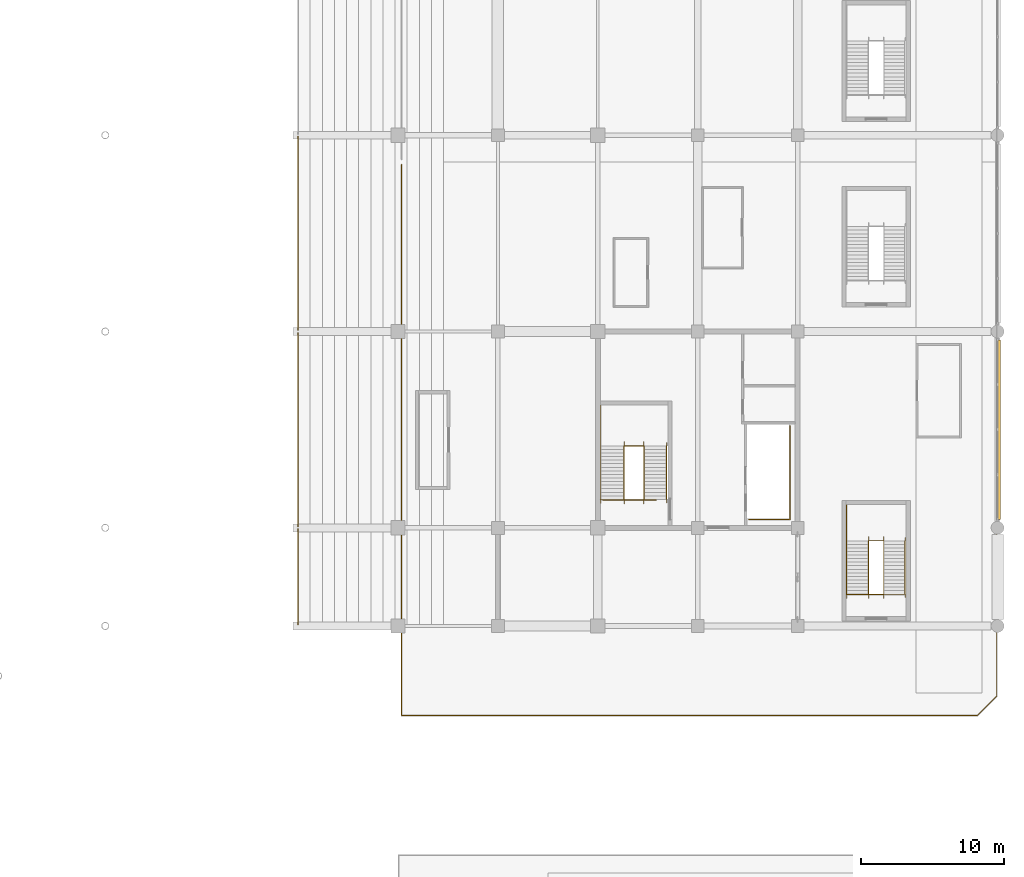
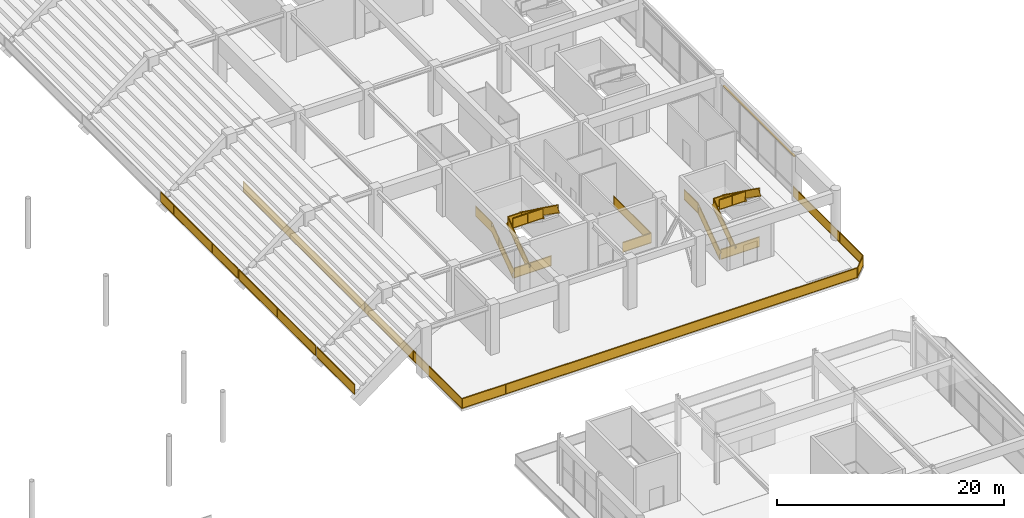
# One storey, part 110 of 117: 14 railings, 1 shading device.
"""IFC4 building model written with IfcOpenShell, lengths in metres."""

import ifcopenshell
import ifcopenshell.guid

model = None  # the IFC model being written
_history = None  # IfcOwnerHistory: only IFC2X3 demands one
_inside = {}  # id of a spatial element -> (the spatial element, [elements in it])
_under = {}  # id of a project, library or spatial element -> (it, [spatial elements below it])
_declared = {}  # id of a project -> (the project, [libraries it declares])
_typed = {}  # id of a type object -> (the type object, [elements of that type])
_made_of = {}  # id of a material, layer set ... -> (it, [elements and type objects made of it])


def new_model(schema):
    """Start an empty IFC model of exactly this schema.

    Asked for "IFC4X3", IfcOpenShell would pick the latest addendum, in which some entities
    have other attributes; the version numbers below select the first issue.
    IFC2X3 requires an IfcOwnerHistory on every rooted entity: one is made here for all.
    """
    global model, _history
    if schema == "IFC4X3":
        model = ifcopenshell.file(schema_version=(4, 3, 0, 0))
    else:
        model = ifcopenshell.file(schema=schema)
    _inside.clear()
    _under.clear()
    _declared.clear()
    _typed.clear()
    _made_of.clear()
    _history = None
    if model.schema == "IFC2X3":
        org = make("IfcOrganization", Name="unknown")
        user = make(
            "IfcPersonAndOrganization",
            ThePerson=make("IfcPerson", FamilyName="unknown"),
            TheOrganization=org,
        )
        app = make(
            "IfcApplication",
            ApplicationDeveloper=org,
            Version="unknown",
            ApplicationFullName="unknown",
            ApplicationIdentifier="unknown",
        )
        _history = make(
            "IfcOwnerHistory",
            OwningUser=user,
            OwningApplication=app,
            ChangeAction="ADDED",
            CreationDate=0,
        )
    return model


def make(cls, **values):
    """One entity of the class cls with the attributes given. An attribute that is None is left unset."""
    return model.create_entity(
        cls, **{name: value for name, value in values.items() if value is not None}
    )


def rooted(cls, **values):
    """An entity with a GlobalId (a new one), such as an element, a storey or a relation."""
    return make(cls, GlobalId=ifcopenshell.guid.new(), OwnerHistory=_history, **values)


def si_unit(unit_type, name, prefix=None):
    """IfcSIUnit, for example si_unit("LENGTHUNIT", "METRE", prefix="MILLI")."""
    return make("IfcSIUnit", UnitType=unit_type, Prefix=prefix, Name=name)


def assignment(units):
    """IfcUnitAssignment: the units of a project."""
    return None if units is None else make("IfcUnitAssignment", Units=units)


def point(xyz):
    """IfcCartesianPoint."""
    return None if xyz is None else make("IfcCartesianPoint", Coordinates=xyz)


def direction(xyz):
    """IfcDirection."""
    return None if xyz is None else make("IfcDirection", DirectionRatios=xyz)


def frame(location, z_axis=None, x_axis=None):
    """IfcAxis2Placement3D, a coordinate frame: its origin and axes. An axis left out is left unset."""
    return make(
        "IfcAxis2Placement3D",
        Location=point(location),
        Axis=direction(z_axis),
        RefDirection=direction(x_axis),
    )


def frame_2d(location, x_axis=None):
    """IfcAxis2Placement2D, a coordinate frame in the plane: its origin and x axis."""
    return make(
        "IfcAxis2Placement2D", Location=point(location), RefDirection=direction(x_axis)
    )


def origin():
    """The frame at (0, 0, 0) with its axes left unset."""
    return frame((0.0, 0.0, 0.0))


def origin_2d():
    """The frame at (0, 0) in the plane with its x axis left unset."""
    return frame_2d((0.0, 0.0))


def place(relative_to, where):
    """IfcLocalPlacement: puts the frame where relative to a parent placement (None: the world)."""
    return make(
        "IfcLocalPlacement", PlacementRelTo=relative_to, RelativePlacement=where
    )


def context(
    kind, dimensions, precision=None, world=None, true_north=None, identifier=None
):
    """IfcGeometricRepresentationContext, for example the 3D "Model" context."""
    return make(
        "IfcGeometricRepresentationContext",
        ContextIdentifier=identifier,
        ContextType=kind,
        CoordinateSpaceDimension=dimensions,
        Precision=precision,
        WorldCoordinateSystem=world,
        TrueNorth=true_north,
    )


def subcontext(parent, identifier, kind, view, scale=None):
    """IfcGeometricRepresentationSubContext, for example "Body" below "Model"."""
    return make(
        "IfcGeometricRepresentationSubContext",
        ContextIdentifier=identifier,
        ContextType=kind,
        ParentContext=parent,
        TargetScale=scale,
        TargetView=view,
    )


def project(units=None, contexts=None):
    """IfcProject with its units and contexts."""
    return rooted(
        "IfcProject",
        Name="project",
        RepresentationContexts=contexts,
        UnitsInContext=assignment(units),
    )


def spatial(cls, under=None, at=None, **own):
    """A site, building, storey or space (cls), placed at a placement, below another one or the project."""
    s = rooted(cls, ObjectPlacement=at, **own)
    if under is not None:
        _under.setdefault(under.id(), (under, []))[1].append(s)
    return s


def profile(cls, at=None, kind="AREA", **sizes):
    """A parametric profile (cls). Its sizes go by their IFC names, for example OverallWidth=200.0."""
    return make(cls, ProfileType=kind, Position=at, **sizes)


def rectangle(**sizes):
    """IfcRectangleProfileDef."""
    return profile("IfcRectangleProfileDef", **sizes)


def extrude(swept, where, along, depth):
    """IfcExtrudedAreaSolid: the profile swept, set in the frame where, extruded along a direction by depth."""
    return make(
        "IfcExtrudedAreaSolid",
        SweptArea=swept,
        Position=where,
        ExtrudedDirection=direction(along),
        Depth=depth,
    )


def shape(context_of_items, identifier, shape_type, items):
    """IfcShapeRepresentation: the items that make up one representation, for example the "Body"."""
    return make(
        "IfcShapeRepresentation",
        ContextOfItems=context_of_items,
        RepresentationIdentifier=identifier,
        RepresentationType=shape_type,
        Items=items,
    )


def material(Name=None, Category=None):
    """IfcMaterial."""
    return make("IfcMaterial", Name=Name, Category=Category)


def layer(
    of_material, thickness, ventilated=None, Name=None, Category=None, Priority=None
):
    """IfcMaterialLayer: one layer of a wall or slab, of a material (None: an air gap)."""
    return make(
        "IfcMaterialLayer",
        Material=of_material,
        LayerThickness=thickness,
        IsVentilated=ventilated,
        Name=Name,
        Category=Category,
        Priority=Priority,
    )


def layer_set(layers, Name=None):
    """IfcMaterialLayerSet."""
    return make("IfcMaterialLayerSet", MaterialLayers=layers, LayerSetName=Name)


def made_of(thing, what):
    """Note that an element or type object is made of a material, layer set ...; save() writes the relation."""
    if what is not None:
        _made_of.setdefault(what.id(), (what, []))[1].append(thing)
    return thing


def type_object(cls, material=None, **own):
    """A type object (cls), such as IfcWallType, which elements share."""
    return made_of(rooted(cls, **own), material)


def element(
    cls,
    number,
    at=None,
    inside=None,
    cuts=None,
    type_object=None,
    material=None,
    context=None,
    identifier="Body",
    shape_type=None,
    held_by="IfcProductDefinitionShape",
    body=None,
    shapes=None,
    **own,
):
    """One element of the class cls, such as IfcWall. Its Tag is "e" and its number.

    at: its placement. inside: the storey or other place that contains it. cuts: it is an
    opening in that element (IfcRelVoidsElement). A single representation is given by context,
    identifier, shape_type and body (its items); several are given by shapes. held_by: the class
    of the entity that holds the representations. save() writes the other relations.
    """
    e = rooted(cls, Tag="e%d" % number, ObjectPlacement=at, **own)
    if body is not None:
        shapes = [shape(context, identifier, shape_type, body)]
    if shapes is not None:
        e.Representation = make(held_by, Representations=shapes)
    if inside is not None:
        _inside.setdefault(inside.id(), (inside, []))[1].append(e)
    if cuts is not None:
        rooted(
            "IfcRelVoidsElement", RelatingBuildingElement=cuts, RelatedOpeningElement=e
        )
    if type_object is not None:
        _typed.setdefault(type_object.id(), (type_object, []))[1].append(e)
    return made_of(e, material)


def aggregate(whole, parts):
    """IfcRelAggregates: a whole, such as a stair, and the parts it consists of."""
    return rooted("IfcRelAggregates", RelatingObject=whole, RelatedObjects=parts)


def save(model, path):
    """Write the relations noted so far, then the file.

    IfcRelAggregates (storeys below a building ...), IfcRelContainedInSpatialStructure (elements
    in a storey), IfcRelDefinesByType, IfcRelAssociatesMaterial and IfcRelDeclares: one each for
    every whole, place, type object, material and project.
    """
    for whole, parts in _under.values():
        aggregate(whole, parts)
    for where, things in _inside.values():
        rooted(
            "IfcRelContainedInSpatialStructure",
            RelatedElements=things,
            RelatingStructure=where,
        )
    for kind, things in _typed.values():
        rooted("IfcRelDefinesByType", RelatedObjects=things, RelatingType=kind)
    for what, things in _made_of.values():
        rooted("IfcRelAssociatesMaterial", RelatedObjects=things, RelatingMaterial=what)
    for by, libraries in _declared.values():
        rooted("IfcRelDeclares", RelatingContext=by, RelatedDefinitions=libraries)
    model.write(path)


model = new_model("IFC4")

# Units and contexts
model_context = context("Model", 3, precision=1e-05, world=origin(), true_north=direction((0.0, 1.0)))
body_context = subcontext(model_context, "Body", "Model", "MODEL_VIEW")
ifc_project = project(units=[si_unit("LENGTHUNIT", "METRE"), si_unit("AREAUNIT", "SQUARE_METRE"), si_unit("VOLUMEUNIT", "CUBIC_METRE"), si_unit("PLANEANGLEUNIT", "RADIAN"), si_unit("MASSUNIT", "GRAM", prefix="KILO")], contexts=[model_context])

# Site, building, storey
site_placement = place(None, origin())
site = spatial("IfcSite", under=ifc_project, at=site_placement, CompositionType="ELEMENT")
building_placement = place(site_placement, origin())
building = spatial("IfcBuilding", under=site, at=building_placement, Name="Linyun Crest Stadium", CompositionType="ELEMENT")
storey_placement = place(building_placement, frame((0.0, 0.0, 6.0)))
storey = spatial("IfcBuildingStorey", under=building, at=storey_placement, Name="L02", CompositionType="ELEMENT", Elevation=6.0)

# Railings
ifc_material_1 = material(Name="Galvanized and powder-coated steel bowl safety barrier", Category="steel")
railing_type_1 = type_object("IfcRailingType", Name="GR02", PredefinedType="GUARDRAIL", material=ifc_material_1)
railing_1_placement = place(storey_placement, frame((49.0, -45.919921875, 0.199951171875)))
element("IfcRailing", 1, at=railing_1_placement, inside=storey, type_object=railing_type_1, Name="Bowl front safety guard GR02 6", PredefinedType="GUARDRAIL", context=body_context, shape_type="SweptSolid", body=[
    extrude(rectangle(XDim=0.06005859375, YDim=0.06005859375, at=origin_2d()), frame((0.0, 0.0, 1.090087890625), z_axis=(0.0, 1.0, 0.0), x_axis=(-1.0, 0.0, 0.0)), (0.0, 0.0, 1.0), 6.71484375),
    extrude(rectangle(XDim=0.030029296875, YDim=1.0, at=origin_2d()), frame((0.0, 0.0, 0.56005859375), z_axis=(0.0, 1.0, 0.0), x_axis=(-1.0, 0.0, 0.0)), (0.0, 0.0, 1.0), 6.71484375),
    extrude(rectangle(XDim=0.06005859375, YDim=0.06005859375, at=origin_2d()), frame((0.0, 0.0, 0.030029296875), z_axis=(0.0, 1.0, 0.0), x_axis=(-1.0, 0.0, 0.0)), (0.0, 0.0, 1.0), 6.71484375),
    extrude(rectangle(XDim=0.050048828125, YDim=0.050048828125, at=origin_2d()), origin(), (0.0, 0.0, 1.0), 1.1201171875),
    extrude(rectangle(XDim=0.050048828125, YDim=0.050048828125, at=origin_2d()), frame((0.0, 2.23828125, 0.0)), (0.0, 0.0, 1.0), 1.1201171875),
    extrude(rectangle(XDim=0.050048828125, YDim=0.050048828125, at=origin_2d()), frame((0.0, 4.4765625, 0.0)), (0.0, 0.0, 1.0), 1.1201171875),
    extrude(rectangle(XDim=0.050048828125, YDim=0.050048828125, at=origin_2d()), frame((0.0, 6.71484375, 0.0)), (0.0, 0.0, 1.0), 1.1201171875),
])
for number, where, name in (
    (2, (49.0, -39.044921875, 0.199951171875), "Bowl front safety guard GR02 14"),
    (3, (49.0, -25.294921875, 0.199951171875), "Bowl front safety guard GR02 22"),
):
    element("IfcRailing", number, at=place(storey_placement, frame(where)), inside=storey, type_object=railing_type_1, Name=name, PredefinedType="GUARDRAIL", context=body_context, shape_type="SweptSolid", body=[
        extrude(rectangle(XDim=0.06005859375, YDim=0.06005859375, at=origin_2d()), frame((0.0, 0.0, 1.090087890625), z_axis=(0.0, 1.0, 0.0), x_axis=(-1.0, 0.0, 0.0)), (0.0, 0.0, 1.0), 13.58984375),
        extrude(rectangle(XDim=0.030029296875, YDim=1.0, at=origin_2d()), frame((0.0, 0.0, 0.56005859375), z_axis=(0.0, 1.0, 0.0), x_axis=(-1.0, 0.0, 0.0)), (0.0, 0.0, 1.0), 13.58984375),
        extrude(rectangle(XDim=0.06005859375, YDim=0.06005859375, at=origin_2d()), frame((0.0, 0.0, 0.030029296875), z_axis=(0.0, 1.0, 0.0), x_axis=(-1.0, 0.0, 0.0)), (0.0, 0.0, 1.0), 13.58984375),
        extrude(rectangle(XDim=0.050048828125, YDim=0.050048828125, at=origin_2d()), origin(), (0.0, 0.0, 1.0), 1.1201171875),
        extrude(rectangle(XDim=0.050048828125, YDim=0.050048828125, at=origin_2d()), frame((0.0, 2.264892578125, 0.0)), (0.0, 0.0, 1.0), 1.1201171875),
        extrude(rectangle(XDim=0.050048828125, YDim=0.050048828125, at=origin_2d()), frame((0.0, 4.530029296875, 0.0)), (0.0, 0.0, 1.0), 1.1201171875),
        extrude(rectangle(XDim=0.050048828125, YDim=0.050048828125, at=origin_2d()), frame((0.0, 6.794921875, 0.0)), (0.0, 0.0, 1.0), 1.1201171875),
        extrude(rectangle(XDim=0.050048828125, YDim=0.050048828125, at=origin_2d()), frame((0.0, 9.059814453125, 0.0)), (0.0, 0.0, 1.0), 1.1201171875),
        extrude(rectangle(XDim=0.050048828125, YDim=0.050048828125, at=origin_2d()), frame((0.0, 11.324951171875, 0.0)), (0.0, 0.0, 1.0), 1.1201171875),
        extrude(rectangle(XDim=0.050048828125, YDim=0.050048828125, at=origin_2d()), frame((0.0, 13.58984375, 0.0)), (0.0, 0.0, 1.0), 1.1201171875),
    ])
railing_2_placement = place(storey_placement, frame((56.260009765625, -52.27490234375, 0.0)))
element("IfcRailing", 4, at=railing_2_placement, inside=storey, type_object=railing_type_1, Name="Slab edge balustrade GR02 117", PredefinedType="GUARDRAIL", context=body_context, shape_type="SweptSolid", body=[
    extrude(rectangle(XDim=0.06005859375, YDim=0.06005859375, at=origin_2d()), frame((0.0, 0.0, 1.090087890625), z_axis=(0.0, 1.0, 0.0), x_axis=(-1.0, 0.0, 0.0)), (0.0, 0.0, 1.0), 38.60498046875),
    extrude(rectangle(XDim=0.030029296875, YDim=1.0, at=origin_2d()), frame((0.0, 0.0, 0.56005859375), z_axis=(0.0, 1.0, 0.0), x_axis=(-1.0, 0.0, 0.0)), (0.0, 0.0, 1.0), 38.60498046875),
    extrude(rectangle(XDim=0.06005859375, YDim=0.06005859375, at=origin_2d()), frame((0.0, 0.0, 0.030029296875), z_axis=(0.0, 1.0, 0.0), x_axis=(-1.0, 0.0, 0.0)), (0.0, 0.0, 1.0), 38.60498046875),
    extrude(rectangle(XDim=0.050048828125, YDim=0.050048828125, at=origin_2d()), origin(), (0.0, 0.0, 1.0), 1.1201171875),
    extrude(rectangle(XDim=0.050048828125, YDim=0.050048828125, at=origin_2d()), frame((0.0, 4.28955078125, 0.0)), (0.0, 0.0, 1.0), 1.1201171875),
    extrude(rectangle(XDim=0.050048828125, YDim=0.050048828125, at=origin_2d()), frame((0.0, 8.578857421875, 0.0)), (0.0, 0.0, 1.0), 1.1201171875),
    extrude(rectangle(XDim=0.050048828125, YDim=0.050048828125, at=origin_2d()), frame((0.0, 12.868408203125, 0.0)), (0.0, 0.0, 1.0), 1.1201171875),
    extrude(rectangle(XDim=0.050048828125, YDim=0.050048828125, at=origin_2d()), frame((0.0, 17.15771484375, 0.0)), (0.0, 0.0, 1.0), 1.1201171875),
    extrude(rectangle(XDim=0.050048828125, YDim=0.050048828125, at=origin_2d()), frame((0.0, 21.447265625, 0.0)), (0.0, 0.0, 1.0), 1.1201171875),
    extrude(rectangle(XDim=0.050048828125, YDim=0.050048828125, at=origin_2d()), frame((0.0, 25.736572265625, 0.0)), (0.0, 0.0, 1.0), 1.1201171875),
    extrude(rectangle(XDim=0.050048828125, YDim=0.050048828125, at=origin_2d()), frame((0.0, 30.026123046875, 0.0)), (0.0, 0.0, 1.0), 1.1201171875),
    extrude(rectangle(XDim=0.050048828125, YDim=0.050048828125, at=origin_2d()), frame((0.0, 34.3154296875, 0.0)), (0.0, 0.0, 1.0), 1.1201171875),
    extrude(rectangle(XDim=0.050048828125, YDim=0.050048828125, at=origin_2d()), frame((0.0, 38.60498046875, 0.0)), (0.0, 0.0, 1.0), 1.1201171875),
])
railing_3_placement = place(storey_placement, frame((97.93994140625, -38.574951171875, 0.0)))
element("IfcRailing", 5, at=railing_3_placement, inside=storey, type_object=railing_type_1, Name="Slab edge balustrade GR02 119", PredefinedType="GUARDRAIL", context=body_context, shape_type="SweptSolid", body=[
    extrude(rectangle(XDim=0.06005859375, YDim=0.06005859375, at=origin_2d()), frame((0.0, 0.0, 1.090087890625), z_axis=(0.0, -1.0, 0.0), x_axis=(1.0, 0.0, 0.0)), (0.0, 0.0, 1.0), 12.3349609375),
    extrude(rectangle(XDim=0.030029296875, YDim=1.0, at=origin_2d()), frame((0.0, 0.0, 0.56005859375), z_axis=(0.0, -1.0, 0.0), x_axis=(1.0, 0.0, 0.0)), (0.0, 0.0, 1.0), 12.3349609375),
    extrude(rectangle(XDim=0.06005859375, YDim=0.06005859375, at=origin_2d()), frame((0.0, 0.0, 0.030029296875), z_axis=(0.0, -1.0, 0.0), x_axis=(1.0, 0.0, 0.0)), (0.0, 0.0, 1.0), 12.3349609375),
    extrude(rectangle(XDim=0.06005859375, YDim=0.06005859375, at=origin_2d()), frame((0.0, -12.3349609375, 1.090087890625), z_axis=(-0.707106781187, -0.707106781187, 0.0), x_axis=(0.707106781187, -0.707106781187, 0.0)), (0.0, 0.0, 1.0), 1.930419921875),
    extrude(rectangle(XDim=0.030029296875, YDim=1.0, at=origin_2d()), frame((0.0, -12.3349609375, 0.56005859375), z_axis=(-0.707106781187, -0.707106781187, 0.0), x_axis=(0.707106781187, -0.707106781187, 0.0)), (0.0, 0.0, 1.0), 1.930419921875),
    extrude(rectangle(XDim=0.06005859375, YDim=0.06005859375, at=origin_2d()), frame((0.0, -12.3349609375, 0.030029296875), z_axis=(-0.707106781187, -0.707106781187, 0.0), x_axis=(0.707106781187, -0.707106781187, 0.0)), (0.0, 0.0, 1.0), 1.930419921875),
    extrude(rectangle(XDim=0.06005859375, YDim=0.06005859375, at=origin_2d()), frame((-1.364990234375, -13.699951171875, 1.090087890625), z_axis=(-1.0, 0.0, 0.0), x_axis=(0.0, -1.0, 0.0)), (0.0, 0.0, 1.0), 40.31494140625),
    extrude(rectangle(XDim=0.030029296875, YDim=1.0, at=origin_2d()), frame((-1.364990234375, -13.699951171875, 0.56005859375), z_axis=(-1.0, 0.0, 0.0), x_axis=(0.0, -1.0, 0.0)), (0.0, 0.0, 1.0), 40.31494140625),
    extrude(rectangle(XDim=0.06005859375, YDim=0.06005859375, at=origin_2d()), frame((-1.364990234375, -13.699951171875, 0.030029296875), z_axis=(-1.0, 0.0, 0.0), x_axis=(0.0, -1.0, 0.0)), (0.0, 0.0, 1.0), 40.31494140625),
    extrude(rectangle(XDim=0.050048828125, YDim=0.050048828125, at=origin_2d()), origin(), (0.0, 0.0, 1.0), 1.1201171875),
    extrude(rectangle(XDim=0.050048828125, YDim=0.050048828125, at=origin_2d()), frame((0.0, -4.111572265625, 0.0)), (0.0, 0.0, 1.0), 1.1201171875),
    extrude(rectangle(XDim=0.050048828125, YDim=0.050048828125, at=origin_2d()), frame((0.0, -8.223388671875, 0.0)), (0.0, 0.0, 1.0), 1.1201171875),
    extrude(rectangle(XDim=0.050048828125, YDim=0.050048828125, at=origin_2d()), frame((0.0, -12.3349609375, 0.0)), (0.0, 0.0, 1.0), 1.1201171875),
    extrude(rectangle(XDim=0.050048828125, YDim=0.050048828125, at=origin_2d()), frame((-1.364990234375, -13.699951171875, 0.0)), (0.0, 0.0, 1.0), 1.1201171875),
    extrude(rectangle(XDim=0.050048828125, YDim=0.050048828125, at=origin_2d()), frame((-5.844482421875, -13.699951171875, 0.0)), (0.0, 0.0, 1.0), 1.1201171875),
    extrude(rectangle(XDim=0.050048828125, YDim=0.050048828125, at=origin_2d()), frame((-10.323974609375, -13.699951171875, 0.0)), (0.0, 0.0, 1.0), 1.1201171875),
    extrude(rectangle(XDim=0.050048828125, YDim=0.050048828125, at=origin_2d()), frame((-14.80322265625, -13.699951171875, 0.0)), (0.0, 0.0, 1.0), 1.1201171875),
    extrude(rectangle(XDim=0.050048828125, YDim=0.050048828125, at=origin_2d()), frame((-19.28271484375, -13.699951171875, 0.0)), (0.0, 0.0, 1.0), 1.1201171875),
    extrude(rectangle(XDim=0.050048828125, YDim=0.050048828125, at=origin_2d()), frame((-23.76220703125, -13.699951171875, 0.0)), (0.0, 0.0, 1.0), 1.1201171875),
    extrude(rectangle(XDim=0.050048828125, YDim=0.050048828125, at=origin_2d()), frame((-28.24169921875, -13.699951171875, 0.0)), (0.0, 0.0, 1.0), 1.1201171875),
    extrude(rectangle(XDim=0.050048828125, YDim=0.050048828125, at=origin_2d()), frame((-32.720947265625, -13.699951171875, 0.0)), (0.0, 0.0, 1.0), 1.1201171875),
    extrude(rectangle(XDim=0.050048828125, YDim=0.050048828125, at=origin_2d()), frame((-37.200439453125, -13.699951171875, 0.0)), (0.0, 0.0, 1.0), 1.1201171875),
    extrude(rectangle(XDim=0.050048828125, YDim=0.050048828125, at=origin_2d()), frame((-41.679931640625, -13.699951171875, 0.0)), (0.0, 0.0, 1.0), 1.1201171875),
])
railing_4_placement = place(storey_placement, frame((87.5400390625, -43.81005859375, 0.0)))
element("IfcRailing", 6, at=railing_4_placement, inside=storey, type_object=railing_type_1, Name="Slab edge balustrade GR02 120", PredefinedType="GUARDRAIL", context=body_context, shape_type="SweptSolid", body=[
    extrude(rectangle(XDim=0.06005859375, YDim=0.06005859375, at=origin_2d()), frame((0.0, 0.0, 1.090087890625), z_axis=(1.0, 0.0, 0.0), x_axis=(0.0, 1.0, 0.0)), (0.0, 0.0, 1.0), 3.919921875),
    extrude(rectangle(XDim=0.030029296875, YDim=1.0, at=origin_2d()), frame((0.0, 0.0, 0.56005859375), z_axis=(1.0, 0.0, 0.0), x_axis=(0.0, 1.0, 0.0)), (0.0, 0.0, 1.0), 3.919921875),
    extrude(rectangle(XDim=0.06005859375, YDim=0.06005859375, at=origin_2d()), frame((0.0, 0.0, 0.030029296875), z_axis=(1.0, 0.0, 0.0), x_axis=(0.0, 1.0, 0.0)), (0.0, 0.0, 1.0), 3.919921875),
    extrude(rectangle(XDim=0.050048828125, YDim=0.050048828125, at=origin_2d()), origin(), (0.0, 0.0, 1.0), 1.1201171875),
    extrude(rectangle(XDim=0.050048828125, YDim=0.050048828125, at=origin_2d()), frame((3.919921875, 0.0, 0.0)), (0.0, 0.0, 1.0), 1.1201171875),
])
railing_5_placement = place(storey_placement, frame((80.580078125, -38.534912109375, 0.0)))
element("IfcRailing", 7, at=railing_5_placement, inside=storey, type_object=railing_type_1, Name="Slab edge balustrade GR02 122", PredefinedType="GUARDRAIL", context=body_context, shape_type="SweptSolid", body=[
    extrude(rectangle(XDim=0.06005859375, YDim=0.06005859375, at=origin_2d()), frame((0.0, 0.0, 1.090087890625), z_axis=(1.0, 0.0, 0.0), x_axis=(0.0, 1.0, 0.0)), (0.0, 0.0, 1.0), 2.8798828125),
    extrude(rectangle(XDim=0.030029296875, YDim=1.0, at=origin_2d()), frame((0.0, 0.0, 0.56005859375), z_axis=(1.0, 0.0, 0.0), x_axis=(0.0, 1.0, 0.0)), (0.0, 0.0, 1.0), 2.8798828125),
    extrude(rectangle(XDim=0.06005859375, YDim=0.06005859375, at=origin_2d()), frame((0.0, 0.0, 0.030029296875), z_axis=(1.0, 0.0, 0.0), x_axis=(0.0, 1.0, 0.0)), (0.0, 0.0, 1.0), 2.8798828125),
    extrude(rectangle(XDim=0.06005859375, YDim=0.06005859375, at=origin_2d()), frame((2.8798828125, 0.0, 1.090087890625), z_axis=(0.0, 1.0, 0.0), x_axis=(-1.0, 0.0, 0.0)), (0.0, 0.0, 1.0), 6.5498046875),
    extrude(rectangle(XDim=0.030029296875, YDim=1.0, at=origin_2d()), frame((2.8798828125, 0.0, 0.56005859375), z_axis=(0.0, 1.0, 0.0), x_axis=(-1.0, 0.0, 0.0)), (0.0, 0.0, 1.0), 6.5498046875),
    extrude(rectangle(XDim=0.06005859375, YDim=0.06005859375, at=origin_2d()), frame((2.8798828125, 0.0, 0.030029296875), z_axis=(0.0, 1.0, 0.0), x_axis=(-1.0, 0.0, 0.0)), (0.0, 0.0, 1.0), 6.5498046875),
    extrude(rectangle(XDim=0.050048828125, YDim=0.050048828125, at=origin_2d()), origin(), (0.0, 0.0, 1.0), 1.1201171875),
    extrude(rectangle(XDim=0.050048828125, YDim=0.050048828125, at=origin_2d()), frame((2.8798828125, 0.0, 0.0)), (0.0, 0.0, 1.0), 1.1201171875),
    extrude(rectangle(XDim=0.050048828125, YDim=0.050048828125, at=origin_2d()), frame((2.8798828125, 3.27490234375, 0.0)), (0.0, 0.0, 1.0), 1.1201171875),
    extrude(rectangle(XDim=0.050048828125, YDim=0.050048828125, at=origin_2d()), frame((2.8798828125, 6.5498046875, 0.0)), (0.0, 0.0, 1.0), 1.1201171875),
])
railing_6_placement = place(storey_placement, frame((70.31494140625, -37.1650390625, 0.0)))
element("IfcRailing", 8, at=railing_6_placement, inside=storey, type_object=railing_type_1, Name="Slab edge balustrade GR02 123", PredefinedType="GUARDRAIL", context=body_context, shape_type="SweptSolid", body=[
    extrude(rectangle(XDim=0.06005859375, YDim=0.06005859375, at=origin_2d()), frame((0.0, 0.0, 1.090087890625), z_axis=(1.0, 0.0, 0.0), x_axis=(0.0, 1.0, 0.0)), (0.0, 0.0, 1.0), 3.78515625),
    extrude(rectangle(XDim=0.030029296875, YDim=1.0, at=origin_2d()), frame((0.0, 0.0, 0.56005859375), z_axis=(1.0, 0.0, 0.0), x_axis=(0.0, 1.0, 0.0)), (0.0, 0.0, 1.0), 3.78515625),
    extrude(rectangle(XDim=0.06005859375, YDim=0.06005859375, at=origin_2d()), frame((0.0, 0.0, 0.030029296875), z_axis=(1.0, 0.0, 0.0), x_axis=(0.0, 1.0, 0.0)), (0.0, 0.0, 1.0), 3.78515625),
    extrude(rectangle(XDim=0.050048828125, YDim=0.050048828125, at=origin_2d()), origin(), (0.0, 0.0, 1.0), 1.1201171875),
    extrude(rectangle(XDim=0.050048828125, YDim=0.050048828125, at=origin_2d()), frame((3.78515625, 0.0, 0.0)), (0.0, 0.0, 1.0), 1.1201171875),
])
ifc_material_2 = material(Name="Painted steel stairwell safety guard", Category="steel")
railing_type_2 = type_object("IfcRailingType", Name="GR03", PredefinedType="GUARDRAIL", material=ifc_material_2)
railing_7_placement = place(storey_placement, frame((70.205078125, -37.135009765625, 0.0)))
element("IfcRailing", 9, at=railing_7_placement, inside=storey, type_object=railing_type_2, Name="STR-04-L02 outer guard", PredefinedType="GUARDRAIL", context=body_context, shape_type="SweptSolid", body=[
    extrude(rectangle(XDim=0.06005859375, YDim=0.06005859375, at=origin_2d()), frame((0.0, 0.0, 1.090087890625), z_axis=(0.0, 0.811539352079, 0.584297766578), x_axis=(-1.0, 0.0, 0.0)), (0.0, 0.0, 1.0), 4.620849609375),
    extrude(rectangle(XDim=0.030029296875, YDim=1.0, at=origin_2d()), frame((0.0, 0.0, 0.56005859375), z_axis=(0.0, 0.811539352079, 0.584297766578), x_axis=(-1.0, 0.0, 0.0)), (0.0, 0.0, 1.0), 4.620849609375),
    extrude(rectangle(XDim=0.06005859375, YDim=0.06005859375, at=origin_2d()), frame((0.0, 0.0, 0.030029296875), z_axis=(0.0, 0.811539352079, 0.584297766578), x_axis=(-1.0, 0.0, 0.0)), (0.0, 0.0, 1.0), 4.620849609375),
    extrude(rectangle(XDim=0.06005859375, YDim=0.06005859375, at=origin_2d()), frame((0.0, 3.75, 3.7900390625), z_axis=(0.0, 1.0, 0.0), x_axis=(-1.0, 0.0, 0.0)), (0.0, 0.0, 1.0), 2.830078125),
    extrude(rectangle(XDim=0.030029296875, YDim=1.0, at=origin_2d()), frame((0.0, 3.75, 3.260009765625), z_axis=(0.0, 1.0, 0.0), x_axis=(-1.0, 0.0, 0.0)), (0.0, 0.0, 1.0), 2.830078125),
    extrude(rectangle(XDim=0.06005859375, YDim=0.06005859375, at=origin_2d()), frame((0.0, 3.75, 2.72998046875), z_axis=(0.0, 1.0, 0.0), x_axis=(-1.0, 0.0, 0.0)), (0.0, 0.0, 1.0), 2.830078125),
    extrude(rectangle(XDim=0.050048828125, YDim=0.050048828125, at=origin_2d()), origin(), (0.0, 0.0, 1.0), 1.1201171875),
    extrude(rectangle(XDim=0.050048828125, YDim=0.050048828125, at=origin_2d()), frame((0.0, 1.25, 0.89990234375)), (0.0, 0.0, 1.0), 1.1201171875),
    extrude(rectangle(XDim=0.050048828125, YDim=0.050048828125, at=origin_2d()), frame((0.0, 2.5, 1.800048828125)), (0.0, 0.0, 1.0), 1.1201171875),
    extrude(rectangle(XDim=0.050048828125, YDim=0.050048828125, at=origin_2d()), frame((0.0, 3.75, 2.699951171875)), (0.0, 0.0, 1.0), 1.1201171875),
    extrude(rectangle(XDim=0.050048828125, YDim=0.050048828125, at=origin_2d()), frame((0.0, 5.1650390625, 2.699951171875)), (0.0, 0.0, 1.0), 1.1201171875),
    extrude(rectangle(XDim=0.050048828125, YDim=0.050048828125, at=origin_2d()), frame((0.0, 6.580078125, 2.699951171875)), (0.0, 0.0, 1.0), 1.1201171875),
])
railing_8_placement = place(storey_placement, frame((71.844970703125, -37.155029296875, 0.0)))
element("IfcRailing", 10, at=railing_8_placement, inside=storey, type_object=railing_type_2, Name="STR-04-L02 inner well guard", PredefinedType="GUARDRAIL", context=body_context, shape_type="SweptSolid", body=[
    extrude(rectangle(XDim=0.06005859375, YDim=0.06005859375, at=origin_2d()), frame((0.0, 0.0, 1.090087890625), z_axis=(0.0, 0.813010693788, 0.582248754216), x_axis=(-1.0, 0.0, 0.0)), (0.0, 0.0, 1.0), 4.63720703125),
    extrude(rectangle(XDim=0.030029296875, YDim=1.0, at=origin_2d()), frame((0.0, 0.0, 0.56005859375), z_axis=(0.0, 0.813010693788, 0.582248754216), x_axis=(-1.0, 0.0, 0.0)), (0.0, 0.0, 1.0), 4.63720703125),
    extrude(rectangle(XDim=0.06005859375, YDim=0.06005859375, at=origin_2d()), frame((0.0, 0.0, 0.030029296875), z_axis=(0.0, 0.813010693788, 0.582248754216), x_axis=(-1.0, 0.0, 0.0)), (0.0, 0.0, 1.0), 4.63720703125),
    extrude(rectangle(XDim=0.06005859375, YDim=0.06005859375, at=origin_2d()), frame((0.0, 3.77001953125, 3.7900390625), z_axis=(1.0, 0.0, 0.0), x_axis=(0.0, 1.0, 0.0)), (0.0, 0.0, 1.0), 1.385009765625),
    extrude(rectangle(XDim=0.030029296875, YDim=1.0, at=origin_2d()), frame((0.0, 3.77001953125, 3.260009765625), z_axis=(1.0, 0.0, 0.0), x_axis=(0.0, 1.0, 0.0)), (0.0, 0.0, 1.0), 1.385009765625),
    extrude(rectangle(XDim=0.06005859375, YDim=0.06005859375, at=origin_2d()), frame((0.0, 3.77001953125, 2.72998046875), z_axis=(1.0, 0.0, 0.0), x_axis=(0.0, 1.0, 0.0)), (0.0, 0.0, 1.0), 1.385009765625),
    extrude(rectangle(XDim=0.06005859375, YDim=0.06005859375, at=origin_2d()), frame((1.385009765625, 3.77001953125, 3.7900390625), z_axis=(0.0, -0.813010693788, 0.582248754216), x_axis=(1.0, 0.0, 0.0)), (0.0, 0.0, 1.0), 4.63720703125),
    extrude(rectangle(XDim=0.030029296875, YDim=1.0, at=origin_2d()), frame((1.385009765625, 3.77001953125, 3.260009765625), z_axis=(0.0, -0.813010693788, 0.582248754216), x_axis=(1.0, 0.0, 0.0)), (0.0, 0.0, 1.0), 4.63720703125),
    extrude(rectangle(XDim=0.06005859375, YDim=0.06005859375, at=origin_2d()), frame((1.385009765625, 3.77001953125, 2.72998046875), z_axis=(0.0, -0.813010693788, 0.582248754216), x_axis=(1.0, 0.0, 0.0)), (0.0, 0.0, 1.0), 4.63720703125),
    extrude(rectangle(XDim=0.06005859375, YDim=0.06005859375, at=origin_2d()), frame((1.385009765625, 0.0, 6.489990234375), z_axis=(-1.0, 0.0, 0.0), x_axis=(0.0, -1.0, 0.0)), (0.0, 0.0, 1.0), 3.034912109375),
    extrude(rectangle(XDim=0.030029296875, YDim=1.0, at=origin_2d()), frame((1.385009765625, 0.0, 5.9599609375), z_axis=(-1.0, 0.0, 0.0), x_axis=(0.0, -1.0, 0.0)), (0.0, 0.0, 1.0), 3.034912109375),
    extrude(rectangle(XDim=0.06005859375, YDim=0.06005859375, at=origin_2d()), frame((1.385009765625, 0.0, 5.429931640625), z_axis=(-1.0, 0.0, 0.0), x_axis=(0.0, -1.0, 0.0)), (0.0, 0.0, 1.0), 3.034912109375),
    extrude(rectangle(XDim=0.050048828125, YDim=0.050048828125, at=origin_2d()), origin(), (0.0, 0.0, 1.0), 1.1201171875),
    extrude(rectangle(XDim=0.050048828125, YDim=0.050048828125, at=origin_2d()), frame((0.0, 1.256591796875, 0.89990234375)), (0.0, 0.0, 1.0), 1.1201171875),
    extrude(rectangle(XDim=0.050048828125, YDim=0.050048828125, at=origin_2d()), frame((0.0, 2.513427734375, 1.800048828125)), (0.0, 0.0, 1.0), 1.1201171875),
    extrude(rectangle(XDim=0.050048828125, YDim=0.050048828125, at=origin_2d()), frame((0.0, 3.77001953125, 2.699951171875)), (0.0, 0.0, 1.0), 1.1201171875),
    extrude(rectangle(XDim=0.050048828125, YDim=0.050048828125, at=origin_2d()), frame((1.385009765625, 3.77001953125, 2.699951171875)), (0.0, 0.0, 1.0), 1.1201171875),
    extrude(rectangle(XDim=0.050048828125, YDim=0.050048828125, at=origin_2d()), frame((1.385009765625, 2.513427734375, 3.599853515625)), (0.0, 0.0, 1.0), 1.1201171875),
    extrude(rectangle(XDim=0.050048828125, YDim=0.050048828125, at=origin_2d()), frame((1.385009765625, 1.256591796875, 4.5)), (0.0, 0.0, 1.0), 1.1201171875),
    extrude(rectangle(XDim=0.050048828125, YDim=0.050048828125, at=origin_2d()), frame((1.385009765625, 0.0, 5.39990234375)), (0.0, 0.0, 1.0), 1.1201171875),
    extrude(rectangle(XDim=0.050048828125, YDim=0.050048828125, at=origin_2d()), frame((-0.13232421875, 0.0, 5.39990234375)), (0.0, 0.0, 1.0), 1.1201171875),
    extrude(rectangle(XDim=0.050048828125, YDim=0.050048828125, at=origin_2d()), frame((-1.64990234375, 0.0, 5.39990234375)), (0.0, 0.0, 1.0), 1.1201171875),
])
railing_9_placement = place(storey_placement, frame((87.429931640625, -43.780029296875, 0.0)))
element("IfcRailing", 11, at=railing_9_placement, inside=storey, type_object=railing_type_2, Name="STR-18-L02 outer guard", PredefinedType="GUARDRAIL", context=body_context, shape_type="SweptSolid", body=[
    extrude(rectangle(XDim=0.06005859375, YDim=0.06005859375, at=origin_2d()), frame((0.0, 0.0, 1.090087890625), z_axis=(0.0, 0.811539352079, 0.584297766578), x_axis=(-1.0, 0.0, 0.0)), (0.0, 0.0, 1.0), 4.620849609375),
    extrude(rectangle(XDim=0.030029296875, YDim=1.0, at=origin_2d()), frame((0.0, 0.0, 0.56005859375), z_axis=(0.0, 0.811539352079, 0.584297766578), x_axis=(-1.0, 0.0, 0.0)), (0.0, 0.0, 1.0), 4.620849609375),
    extrude(rectangle(XDim=0.06005859375, YDim=0.06005859375, at=origin_2d()), frame((0.0, 0.0, 0.030029296875), z_axis=(0.0, 0.811539352079, 0.584297766578), x_axis=(-1.0, 0.0, 0.0)), (0.0, 0.0, 1.0), 4.620849609375),
    extrude(rectangle(XDim=0.06005859375, YDim=0.06005859375, at=origin_2d()), frame((0.0, 3.75, 3.7900390625), z_axis=(0.0, 1.0, 0.0), x_axis=(-1.0, 0.0, 0.0)), (0.0, 0.0, 1.0), 2.5),
    extrude(rectangle(XDim=0.030029296875, YDim=1.0, at=origin_2d()), frame((0.0, 3.75, 3.260009765625), z_axis=(0.0, 1.0, 0.0), x_axis=(-1.0, 0.0, 0.0)), (0.0, 0.0, 1.0), 2.5),
    extrude(rectangle(XDim=0.06005859375, YDim=0.06005859375, at=origin_2d()), frame((0.0, 3.75, 2.72998046875), z_axis=(0.0, 1.0, 0.0), x_axis=(-1.0, 0.0, 0.0)), (0.0, 0.0, 1.0), 2.5),
    extrude(rectangle(XDim=0.050048828125, YDim=0.050048828125, at=origin_2d()), origin(), (0.0, 0.0, 1.0), 1.1201171875),
    extrude(rectangle(XDim=0.050048828125, YDim=0.050048828125, at=origin_2d()), frame((0.0, 1.25, 0.89990234375)), (0.0, 0.0, 1.0), 1.1201171875),
    extrude(rectangle(XDim=0.050048828125, YDim=0.050048828125, at=origin_2d()), frame((0.0, 2.5, 1.800048828125)), (0.0, 0.0, 1.0), 1.1201171875),
    extrude(rectangle(XDim=0.050048828125, YDim=0.050048828125, at=origin_2d()), frame((0.0, 3.75, 2.699951171875)), (0.0, 0.0, 1.0), 1.1201171875),
    extrude(rectangle(XDim=0.050048828125, YDim=0.050048828125, at=origin_2d()), frame((0.0, 5.0, 2.699951171875)), (0.0, 0.0, 1.0), 1.1201171875),
    extrude(rectangle(XDim=0.050048828125, YDim=0.050048828125, at=origin_2d()), frame((0.0, 6.25, 2.699951171875)), (0.0, 0.0, 1.0), 1.1201171875),
])
railing_10_placement = place(storey_placement, frame((88.969970703125, -43.800048828125, 0.0)))
element("IfcRailing", 12, at=railing_10_placement, inside=storey, type_object=railing_type_2, Name="STR-18-L02 inner well guard", PredefinedType="GUARDRAIL", context=body_context, shape_type="SweptSolid", body=[
    extrude(rectangle(XDim=0.06005859375, YDim=0.06005859375, at=origin_2d()), frame((0.0, 0.0, 1.090087890625), z_axis=(0.0, 0.813010693788, 0.582248754216), x_axis=(-1.0, 0.0, 0.0)), (0.0, 0.0, 1.0), 4.63720703125),
    extrude(rectangle(XDim=0.030029296875, YDim=1.0, at=origin_2d()), frame((0.0, 0.0, 0.56005859375), z_axis=(0.0, 0.813010693788, 0.582248754216), x_axis=(-1.0, 0.0, 0.0)), (0.0, 0.0, 1.0), 4.63720703125),
    extrude(rectangle(XDim=0.06005859375, YDim=0.06005859375, at=origin_2d()), frame((0.0, 0.0, 0.030029296875), z_axis=(0.0, 0.813010693788, 0.582248754216), x_axis=(-1.0, 0.0, 0.0)), (0.0, 0.0, 1.0), 4.63720703125),
    extrude(rectangle(XDim=0.06005859375, YDim=0.06005859375, at=origin_2d()), frame((0.0, 3.77001953125, 3.7900390625), z_axis=(1.0, 0.0, 0.0), x_axis=(0.0, 1.0, 0.0)), (0.0, 0.0, 1.0), 1.06005859375),
    extrude(rectangle(XDim=0.030029296875, YDim=1.0, at=origin_2d()), frame((0.0, 3.77001953125, 3.260009765625), z_axis=(1.0, 0.0, 0.0), x_axis=(0.0, 1.0, 0.0)), (0.0, 0.0, 1.0), 1.06005859375),
    extrude(rectangle(XDim=0.06005859375, YDim=0.06005859375, at=origin_2d()), frame((0.0, 3.77001953125, 2.72998046875), z_axis=(1.0, 0.0, 0.0), x_axis=(0.0, 1.0, 0.0)), (0.0, 0.0, 1.0), 1.06005859375),
    extrude(rectangle(XDim=0.06005859375, YDim=0.06005859375, at=origin_2d()), frame((1.06005859375, 3.77001953125, 3.7900390625), z_axis=(0.0, -0.813010693788, 0.582248754216), x_axis=(1.0, 0.0, 0.0)), (0.0, 0.0, 1.0), 4.63720703125),
    extrude(rectangle(XDim=0.030029296875, YDim=1.0, at=origin_2d()), frame((1.06005859375, 3.77001953125, 3.260009765625), z_axis=(0.0, -0.813010693788, 0.582248754216), x_axis=(1.0, 0.0, 0.0)), (0.0, 0.0, 1.0), 4.63720703125),
    extrude(rectangle(XDim=0.06005859375, YDim=0.06005859375, at=origin_2d()), frame((1.06005859375, 3.77001953125, 2.72998046875), z_axis=(0.0, -0.813010693788, 0.582248754216), x_axis=(1.0, 0.0, 0.0)), (0.0, 0.0, 1.0), 4.63720703125),
    extrude(rectangle(XDim=0.06005859375, YDim=0.06005859375, at=origin_2d()), frame((1.06005859375, 0.0, 6.489990234375), z_axis=(-1.0, 0.0, 0.0), x_axis=(0.0, -1.0, 0.0)), (0.0, 0.0, 1.0), 2.610107421875),
    extrude(rectangle(XDim=0.030029296875, YDim=1.0, at=origin_2d()), frame((1.06005859375, 0.0, 5.9599609375), z_axis=(-1.0, 0.0, 0.0), x_axis=(0.0, -1.0, 0.0)), (0.0, 0.0, 1.0), 2.610107421875),
    extrude(rectangle(XDim=0.06005859375, YDim=0.06005859375, at=origin_2d()), frame((1.06005859375, 0.0, 5.429931640625), z_axis=(-1.0, 0.0, 0.0), x_axis=(0.0, -1.0, 0.0)), (0.0, 0.0, 1.0), 2.610107421875),
    extrude(rectangle(XDim=0.050048828125, YDim=0.050048828125, at=origin_2d()), origin(), (0.0, 0.0, 1.0), 1.1201171875),
    extrude(rectangle(XDim=0.050048828125, YDim=0.050048828125, at=origin_2d()), frame((0.0, 1.256591796875, 0.89990234375)), (0.0, 0.0, 1.0), 1.1201171875),
    extrude(rectangle(XDim=0.050048828125, YDim=0.050048828125, at=origin_2d()), frame((0.0, 2.513427734375, 1.800048828125)), (0.0, 0.0, 1.0), 1.1201171875),
    extrude(rectangle(XDim=0.050048828125, YDim=0.050048828125, at=origin_2d()), frame((0.0, 3.77001953125, 2.699951171875)), (0.0, 0.0, 1.0), 1.1201171875),
    extrude(rectangle(XDim=0.050048828125, YDim=0.050048828125, at=origin_2d()), frame((1.06005859375, 3.77001953125, 2.699951171875)), (0.0, 0.0, 1.0), 1.1201171875),
    extrude(rectangle(XDim=0.050048828125, YDim=0.050048828125, at=origin_2d()), frame((1.06005859375, 2.513427734375, 3.599853515625)), (0.0, 0.0, 1.0), 1.1201171875),
    extrude(rectangle(XDim=0.050048828125, YDim=0.050048828125, at=origin_2d()), frame((1.06005859375, 1.256591796875, 4.5)), (0.0, 0.0, 1.0), 1.1201171875),
    extrude(rectangle(XDim=0.050048828125, YDim=0.050048828125, at=origin_2d()), frame((1.06005859375, 0.0, 5.39990234375)), (0.0, 0.0, 1.0), 1.1201171875),
    extrude(rectangle(XDim=0.050048828125, YDim=0.050048828125, at=origin_2d()), frame((-0.2451171875, 0.0, 5.39990234375)), (0.0, 0.0, 1.0), 1.1201171875),
    extrude(rectangle(XDim=0.050048828125, YDim=0.050048828125, at=origin_2d()), frame((-1.550048828125, 0.0, 5.39990234375)), (0.0, 0.0, 1.0), 1.1201171875),
])
ifc_material_3 = material(Name="Brushed stainless steel tubular handrail", Category="steel")
railing_type_3 = type_object("IfcRailingType", Name="HR01", PredefinedType="HANDRAIL", material=ifc_material_3)
for number, where, name in (
    (13, (74.820068359375, -33.385009765625, 2.699951171875), "STR-04-L02 handrail"),
    (14, (91.52001953125, -40.030029296875, 2.699951171875), "STR-18-L02 handrail"),
):
    element("IfcRailing", number, at=place(storey_placement, frame(where)), inside=storey, type_object=railing_type_3, Name=name, PredefinedType="HANDRAIL", context=body_context, shape_type="SweptSolid", body=[
        extrude(rectangle(XDim=0.06005859375, YDim=0.06005859375, at=origin_2d()), frame((0.0, 0.0, 0.889892578125), z_axis=(0.0, -0.811539352079, 0.584297766578), x_axis=(1.0, 0.0, 0.0)), (0.0, 0.0, 1.0), 4.620849609375),
        extrude(rectangle(XDim=0.030029296875, YDim=0.7998046875, at=origin_2d()), frame((0.0, 0.0, 0.4599609375), z_axis=(0.0, -0.811539352079, 0.584297766578), x_axis=(1.0, 0.0, 0.0)), (0.0, 0.0, 1.0), 4.620849609375),
        extrude(rectangle(XDim=0.06005859375, YDim=0.06005859375, at=origin_2d()), frame((0.0, 0.0, 0.030029296875), z_axis=(0.0, -0.811539352079, 0.584297766578), x_axis=(1.0, 0.0, 0.0)), (0.0, 0.0, 1.0), 4.620849609375),
        extrude(rectangle(XDim=0.050048828125, YDim=0.050048828125, at=origin_2d()), origin(), (0.0, 0.0, 1.0), 0.919921875),
        extrude(rectangle(XDim=0.050048828125, YDim=0.050048828125, at=origin_2d()), frame((0.0, -1.25, 0.89990234375)), (0.0, 0.0, 1.0), 0.919921875),
        extrude(rectangle(XDim=0.050048828125, YDim=0.050048828125, at=origin_2d()), frame((0.0, -2.5, 1.800048828125)), (0.0, 0.0, 1.0), 0.919921875),
        extrude(rectangle(XDim=0.050048828125, YDim=0.050048828125, at=origin_2d()), frame((0.0, -3.75, 2.699951171875)), (0.0, 0.0, 1.0), 0.919921875),
    ])

# Shading device
ifc_material_4 = material(Name="Verdigris painted aluminium sun-louvre screen", Category="aluminium")
ifc_layer = layer(ifc_material_4, 0.080078125)
ifc_layer_set = layer_set([ifc_layer], Name="Verdigris painted aluminium sun-louvre screen")
shading_device_type = type_object("IfcShadingDeviceType", Name="SD01", PredefinedType="JALOUSIE", material=ifc_layer_set)
shading_device_placement = place(storey_placement, frame((98.1201171875, -32.25, 4.159912109375), z_axis=(0.0, 0.0, 1.0), x_axis=(1.0, 0.0, 0.0)))
element("IfcShadingDevice", 15, at=shading_device_placement, inside=storey, type_object=shading_device_type, Name="Veranda monsoon louvre SD01 239", PredefinedType="JALOUSIE", context=body_context, shape_type="SweptSolid", body=[
    extrude(rectangle(XDim=0.159912109375, YDim=12.550048828125, at=origin_2d()), origin(), (0.0, 0.0, 1.0), 0.1201171875),
])

save(model, "model.ifc")
